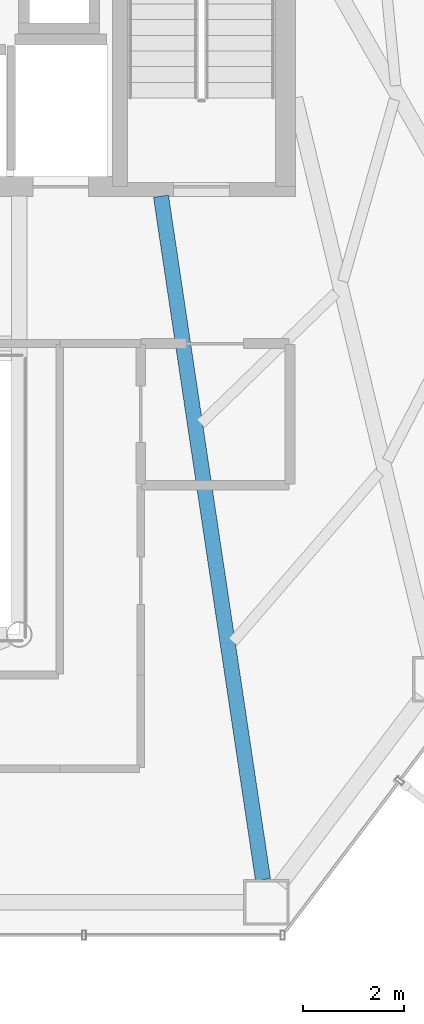
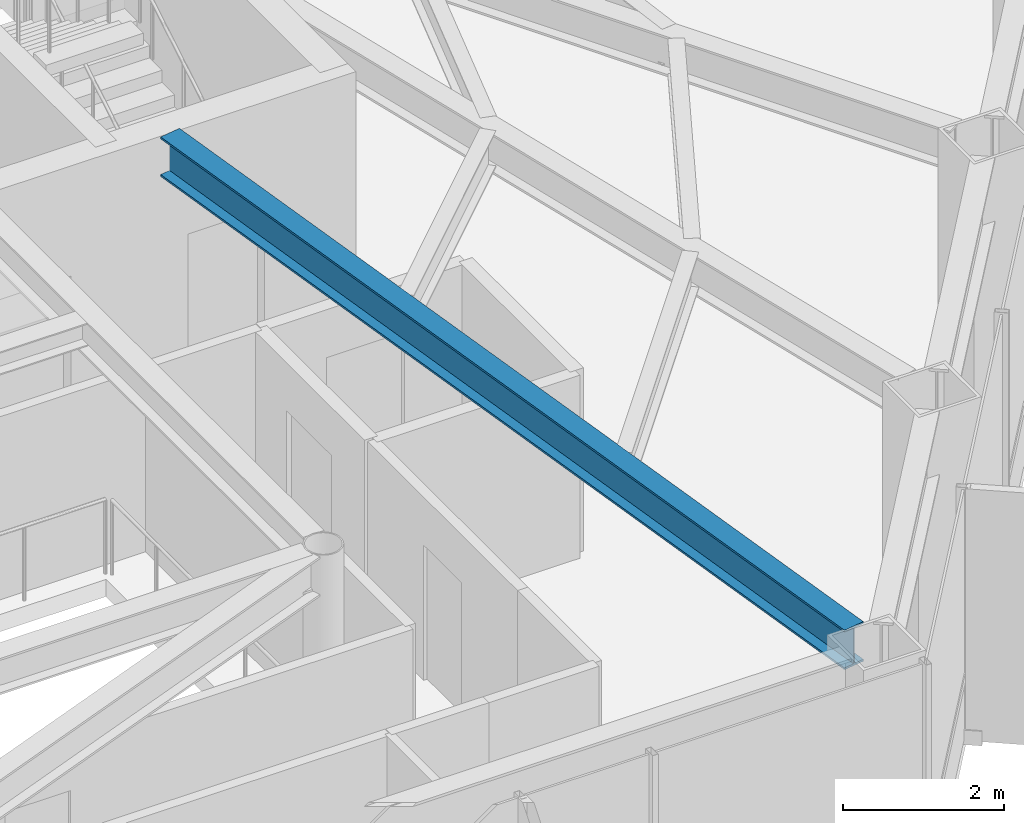
# One storey, part 9 of 25: 1 beam.
"""IFC4 building model written with IfcOpenShell, lengths in metres."""

from ifc_helpers import new_model, si_unit, direction, frame, origin, origin_2d, place, context, subcontext, project, spatial, i_section, extrude, material, material_profile, profile_set, type_object, element, save


model = new_model("IFC4")

# Units and contexts
model_context = context("Model", 3, precision=1e-05, world=origin(), true_north=direction((0.0, 1.0)))
body_context = subcontext(model_context, "Body", "Model", "MODEL_VIEW")
ifc_project = project(units=[si_unit("LENGTHUNIT", "METRE"), si_unit("AREAUNIT", "SQUARE_METRE"), si_unit("VOLUMEUNIT", "CUBIC_METRE"), si_unit("PLANEANGLEUNIT", "RADIAN"), si_unit("MASSUNIT", "GRAM", prefix="KILO")], contexts=[model_context])

# Site, building, storey
site_placement = place(None, origin())
site = spatial("IfcSite", under=ifc_project, at=site_placement, CompositionType="ELEMENT")
building_placement = place(site_placement, origin())
building = spatial("IfcBuilding", under=site, at=building_placement, Name="Zarrinselat Tower", CompositionType="ELEMENT")
storey_placement = place(building_placement, frame((0.0, 0.0, 84.659912109375)))
storey = spatial("IfcBuildingStorey", under=building, at=storey_placement, Name="L20", CompositionType="ELEMENT", Elevation=84.659912109375)

# Beam
ifc_material = material(Name="Steel S355J2", Category="steel")
ifc_material_profile = material_profile(ifc_material, i_section(OverallWidth=0.300048828125, OverallDepth=0.60009765625, WebThickness=0.015380859375, FlangeThickness=0.030029296875, at=origin_2d()), Name="HEB 600")
ifc_profile_set = profile_set([ifc_material_profile], Name="Steel S355J2")
beam_type = type_object("IfcBeamType", Name="BM-HEB600", PredefinedType="BEAM", material=ifc_profile_set)
beam_placement = place(storey_placement, frame((45.800048828125, 33.06005859375, 3.52001953125), z_axis=(0.147652241557, -0.989039339745, 0.0), x_axis=(0.989039339745, 0.147652241557, 0.0)))
element("IfcBeam", 1, at=beam_placement, inside=storey, type_object=beam_type, Name="L20 Radial Primary Girder RG11", PredefinedType="BEAM", context=body_context, shape_type="SweptSolid", body=[
    extrude(i_section(OverallWidth=0.300048828125, OverallDepth=0.60009765625, WebThickness=0.015380859375, FlangeThickness=0.030029296875, at=origin_2d()), origin(), (0.0, 0.0, 1.0), 13.65283203125),
])

save(model, "model.ifc")
